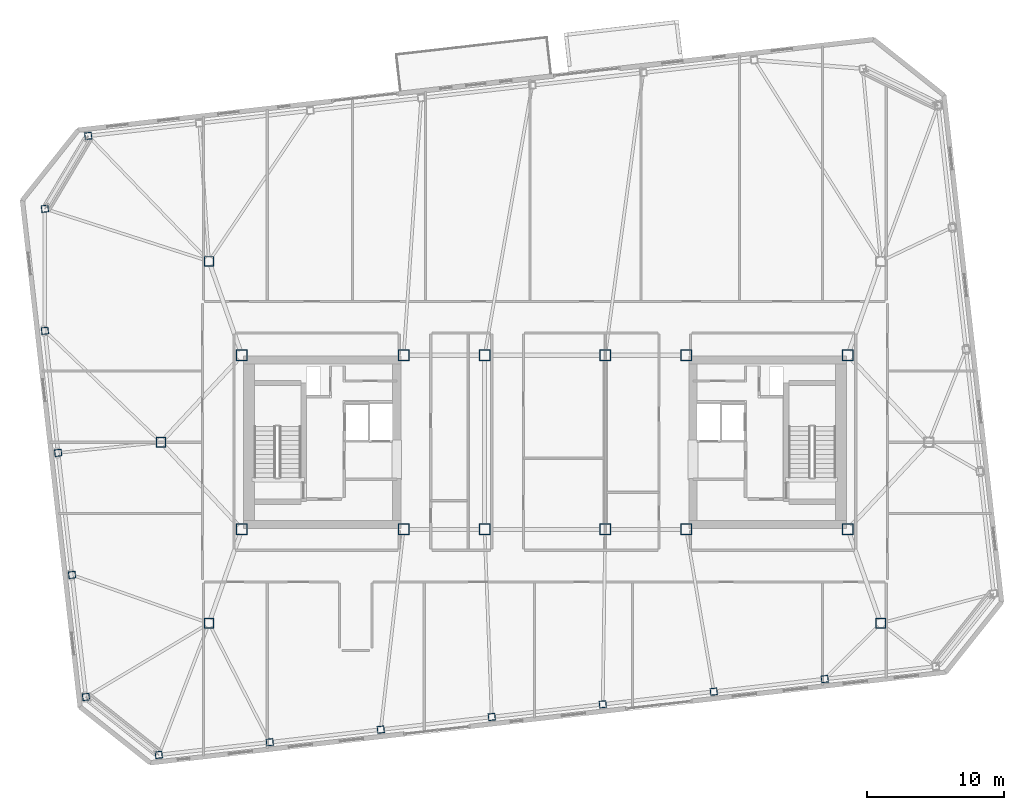
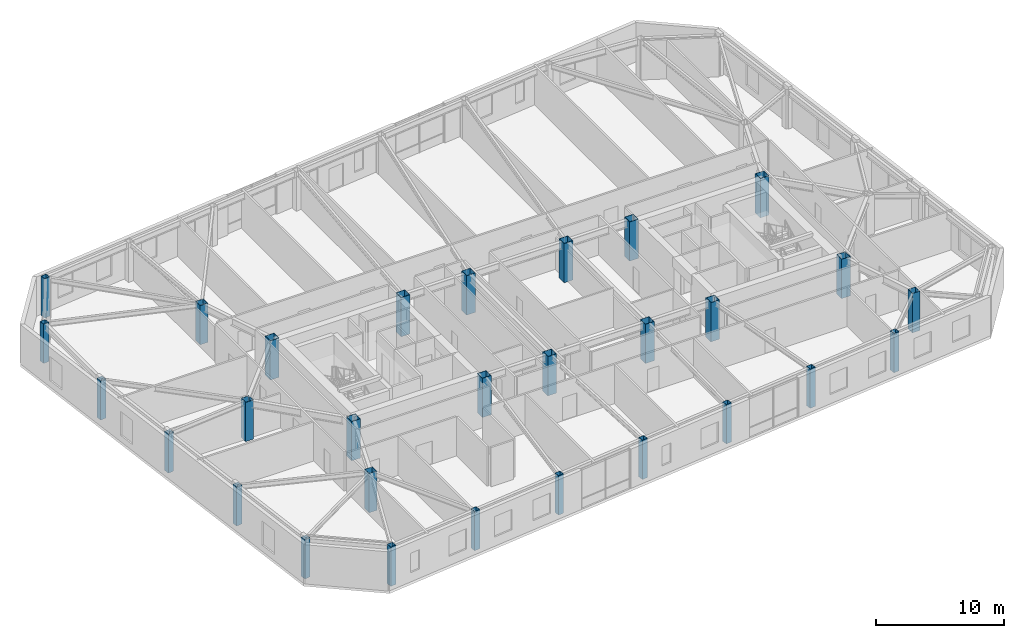
# One storey, part 1 of 20: 29 columns.
"""IFC4 building model written with IfcOpenShell, lengths in metres."""

from ifc_helpers import new_model, si_unit, direction, frame, origin, origin_2d, place, context, subcontext, project, spatial, hollow_rectangle, extrude, material, material_profile, profile_set, type_object, element, save


model = new_model("IFC4")

# Units and contexts
model_context = context("Model", 3, precision=1e-05, world=origin(), true_north=direction((0.0, 1.0)))
body_context = subcontext(model_context, "Body", "Model", "MODEL_VIEW")
ifc_project = project(units=[si_unit("LENGTHUNIT", "METRE"), si_unit("AREAUNIT", "SQUARE_METRE"), si_unit("VOLUMEUNIT", "CUBIC_METRE"), si_unit("PLANEANGLEUNIT", "RADIAN"), si_unit("MASSUNIT", "GRAM", prefix="KILO")], contexts=[model_context])

# Site, building, storey
site_placement = place(None, origin())
site = spatial("IfcSite", under=ifc_project, at=site_placement, CompositionType="ELEMENT")
building_placement = place(site_placement, origin())
building = spatial("IfcBuilding", under=site, at=building_placement, Name="Tavrogorsk Clinical Tower", CompositionType="ELEMENT")
storey_placement = place(building_placement, frame((0.0, 0.0, 251.0)))
storey = spatial("IfcBuildingStorey", under=building, at=storey_placement, Name="L58", CompositionType="ELEMENT", Elevation=251.0)

# Columns
ifc_material_1 = material(Name="Structural steel S440", Category="steel")
ifc_material_profile_1 = material_profile(ifc_material_1, hollow_rectangle(XDim=0.699951171875, YDim=0.699951171875, WallThickness=0.031982421875, at=origin_2d()), Name="BOX-700x700x32")
ifc_profile_set_1 = profile_set([ifc_material_profile_1], Name="Structural steel S440")
column_type_1 = type_object("IfcColumnType", Name="MegaCol_BOX700", PredefinedType="COLUMN", material=ifc_profile_set_1)
for number, where, z_axis, x_axis, name in (
    (1, (-24.5, -13.199951171875, 0.0), (0.0, 0.0, 1.0), (1.0, 0.0, 0.0), "L58 Spine Pilotis Column MC-P1"),
    (2, (24.5, -13.199951171875, 0.0), (0.0, 0.0, 1.0), (1.0, 0.0, 0.0), "L58 Spine Pilotis Column MC-P2"),
    (3, (-24.5, 13.199951171875, 0.0), (0.0, 0.0, 1.0), (1.0, 0.0, 0.0), "L58 Spine Pilotis Column MC-P3"),
    (4, (-28.0, 0.0, 0.0), (0.0, 0.0, 1.0), (1.0, 0.0, 0.0), "L58 Spine Pilotis Column MC-P5"),
):
    element("IfcColumn", number, at=place(storey_placement, frame(where, z_axis=z_axis, x_axis=x_axis)), inside=storey, type_object=column_type_1, Name=name, PredefinedType="COLUMN", context=body_context, shape_type="SweptSolid", body=[
        extrude(hollow_rectangle(XDim=0.699951171875, YDim=0.699951171875, WallThickness=0.031982421875, at=origin_2d()), origin(), (0.0, 0.0, 1.0), 3.739990234375),
    ])
ifc_material_2 = material(Name="Structural steel S440", Category="steel")
ifc_material_profile_2 = material_profile(ifc_material_2, hollow_rectangle(XDim=0.800048828125, YDim=0.800048828125, WallThickness=0.035888671875, at=origin_2d()), Name="BOX-800x800x36")
ifc_profile_set_2 = profile_set([ifc_material_profile_2], Name="Structural steel S440")
column_type_2 = type_object("IfcColumnType", Name="MegaCol_BOX800", PredefinedType="COLUMN", material=ifc_profile_set_2)
for number, where, z_axis, x_axis, name in (
    (5, (-22.10009765625, -6.35009765625, 0.0), (0.0, 0.0, 1.0), (1.0, 0.0, 0.0), "L58 Mega Column MC-W1"),
    (6, (-22.10009765625, 6.35009765625, 0.0), (0.0, 0.0, 1.0), (1.0, 0.0, 0.0), "L58 Mega Column MC-W2"),
    (7, (-10.300048828125, -6.35009765625, 0.0), (0.0, 0.0, 1.0), (1.0, 0.0, 0.0), "L58 Mega Column MC-W3"),
    (8, (-10.300048828125, 6.35009765625, 0.0), (0.0, 0.0, 1.0), (1.0, 0.0, 0.0), "L58 Mega Column MC-W4"),
    (9, (10.300048828125, -6.35009765625, 0.0), (0.0, 0.0, 1.0), (1.0, 0.0, 0.0), "L58 Mega Column MC-E1"),
    (10, (10.300048828125, 6.35009765625, 0.0), (0.0, 0.0, 1.0), (1.0, 0.0, 0.0), "L58 Mega Column MC-E2"),
    (11, (22.10009765625, -6.35009765625, 0.0), (0.0, 0.0, 1.0), (1.0, 0.0, 0.0), "L58 Mega Column MC-E3"),
    (12, (22.10009765625, 6.35009765625, 0.0), (0.0, 0.0, 1.0), (1.0, 0.0, 0.0), "L58 Mega Column MC-E4"),
    (13, (-4.39990234375, -6.35009765625, 0.0), (0.0, 0.0, 1.0), (1.0, 0.0, 0.0), "L58 Mega Column MC-C1"),
    (14, (4.39990234375, -6.35009765625, 0.0), (0.0, 0.0, 1.0), (1.0, 0.0, 0.0), "L58 Mega Column MC-C2"),
    (15, (-4.39990234375, 6.35009765625, 0.0), (0.0, 0.0, 1.0), (1.0, 0.0, 0.0), "L58 Mega Column MC-C3"),
    (16, (4.39990234375, 6.35009765625, 0.0), (0.0, 0.0, 1.0), (1.0, 0.0, 0.0), "L58 Mega Column MC-C4"),
):
    element("IfcColumn", number, at=place(storey_placement, frame(where, z_axis=z_axis, x_axis=x_axis)), inside=storey, type_object=column_type_2, Name=name, PredefinedType="COLUMN", context=body_context, shape_type="SweptSolid", body=[
        extrude(hollow_rectangle(XDim=0.800048828125, YDim=0.800048828125, WallThickness=0.035888671875, at=origin_2d()), origin(), (0.0, 0.0, 1.0), 3.739990234375),
    ])
ifc_material_3 = material(Name="Structural steel S440", Category="steel")
ifc_material_profile_3 = material_profile(ifc_material_3, hollow_rectangle(XDim=0.5, YDim=0.5, WallThickness=0.02490234375, at=origin_2d()), Name="BOX-500x500x25")
ifc_profile_set_3 = profile_set([ifc_material_profile_3], Name="Structural steel S440")
column_type_3 = type_object("IfcColumnType", Name="PerimCol_B4_BOX500", PredefinedType="COLUMN", material=ifc_profile_set_3)
for number, where, z_axis, x_axis, name in (
    (17, (-28.164794921875, -22.802490234375, 0.0), (0.0, 0.0, 1.0), (0.993571855677, 0.113203213768, 0.0), "L58 Perimeter Column S1"),
    (18, (-20.068603515625, -21.880126953125, 0.0), (0.0, 0.0, 1.0), (0.993571855677, 0.113203213768, 0.0), "L58 Perimeter Column S2"),
    (19, (-11.972412109375, -20.95751953125, 0.0), (0.0, 0.0, 1.0), (0.993571855677, 0.113203213768, 0.0), "L58 Perimeter Column S3"),
    (20, (-3.876220703125, -20.03515625, 0.0), (0.0, 0.0, 1.0), (0.993571855677, 0.113203213768, 0.0), "L58 Perimeter Column S4"),
    (21, (4.22021484375, -19.11279296875, 0.0), (0.0, 0.0, 1.0), (0.993571855677, 0.113203213768, 0.0), "L58 Perimeter Column S5"),
    (22, (12.31640625, -18.190185546875, 0.0), (0.0, 0.0, 1.0), (0.993571855677, 0.113203213768, 0.0), "L58 Perimeter Column S6"),
    (23, (20.412353515625, -17.267822265625, 0.0), (0.0, 0.0, 1.0), (0.993571855677, 0.113203213768, 0.0), "L58 Perimeter Column S7"),
    (24, (-33.30859375, 22.345458984375, 0.0), (0.0, 0.0, 1.0), (0.993571855677, 0.113203213768, 0.0), "L58 Perimeter Column N8"),
    (25, (-36.469970703125, 17.032958984375, 0.0), (0.0, 0.0, 1.0), (0.993571855677, 0.113203213768, 0.0), "L58 Perimeter Column W1"),
    (26, (-36.469970703125, 8.130615234375, 0.0), (0.0, 0.0, 1.0), (0.993571855677, 0.113203213768, 0.0), "L58 Perimeter Column W2"),
    (27, (-35.505859375, -0.77197265625, 0.0), (0.0, 0.0, 1.0), (0.993571855677, 0.113203213768, 0.0), "L58 Perimeter Column W3"),
    (28, (-34.491455078125, -9.67431640625, 0.0), (0.0, 0.0, 1.0), (0.993571855677, 0.113203213768, 0.0), "L58 Perimeter Column W4"),
    (29, (-33.477294921875, -18.57666015625, 0.0), (0.0, 0.0, 1.0), (0.993571855677, 0.113203213768, 0.0), "L58 Perimeter Column W5"),
):
    element("IfcColumn", number, at=place(storey_placement, frame(where, z_axis=z_axis, x_axis=x_axis)), inside=storey, type_object=column_type_3, Name=name, PredefinedType="COLUMN", context=body_context, shape_type="SweptSolid", body=[
        extrude(hollow_rectangle(XDim=0.5, YDim=0.5, WallThickness=0.02490234375, at=origin_2d()), origin(), (0.0, 0.0, 1.0), 3.739990234375),
    ])

save(model, "model.ifc")
